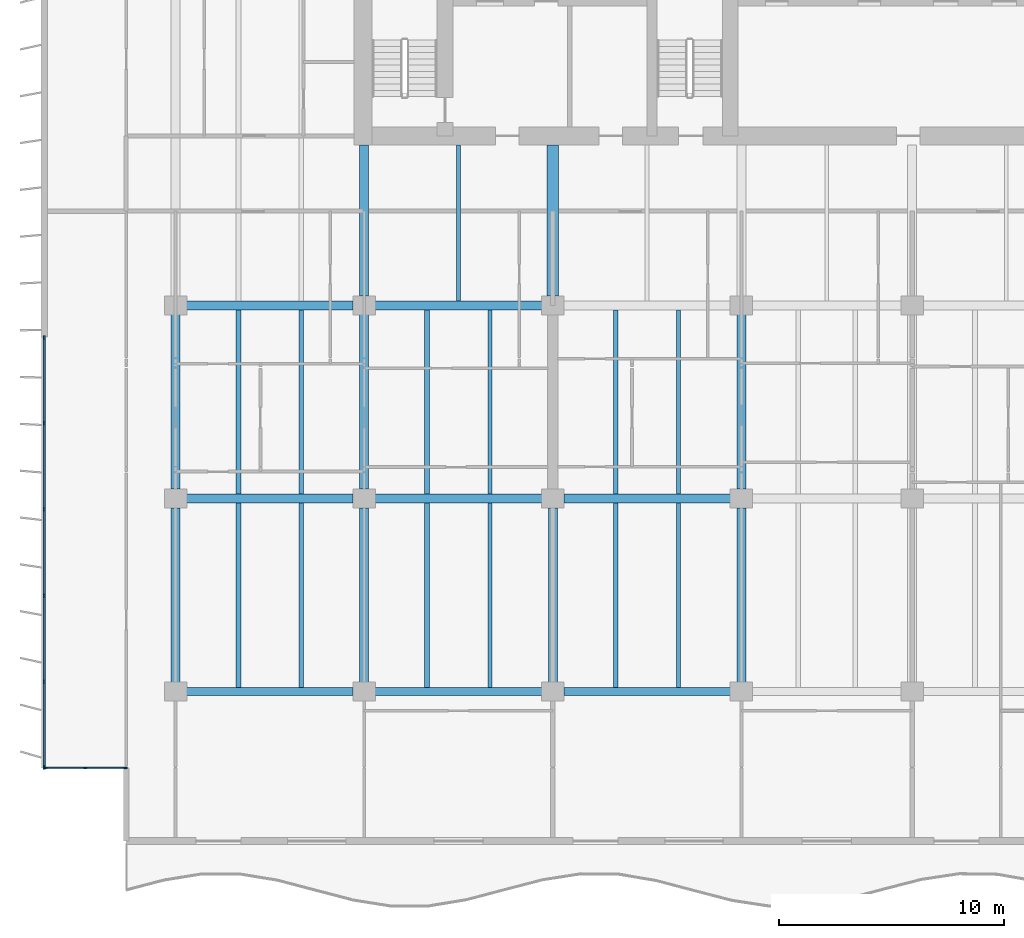
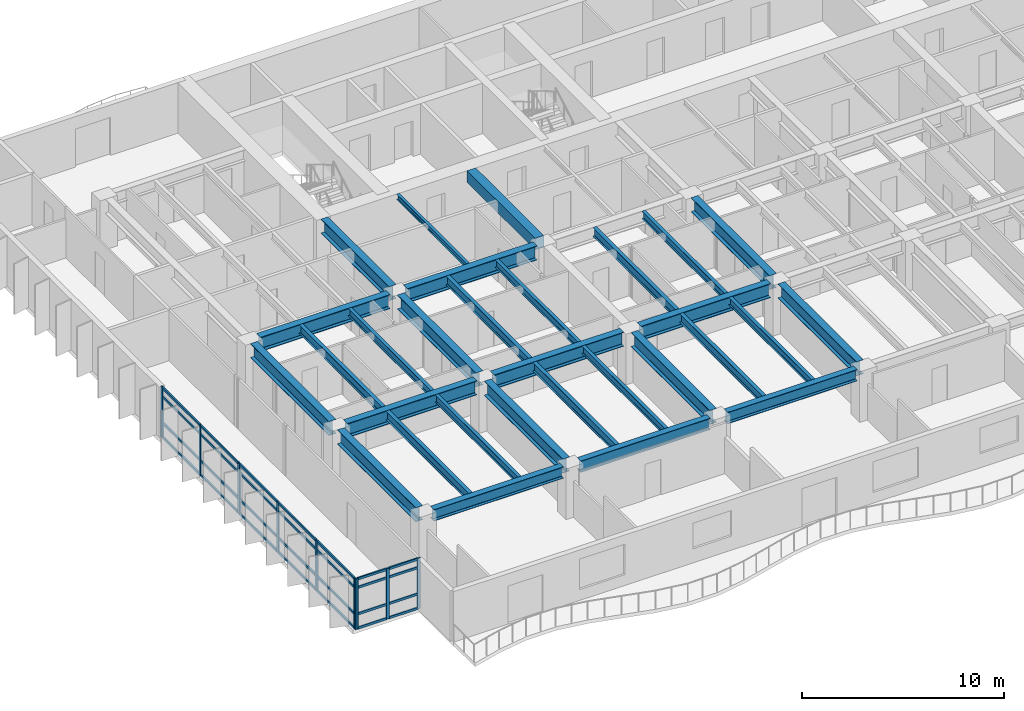
# One storey, part 2 of 20: 37 members, 30 beams, 2 elements without a shape of their own.
"""IFC4 building model written with IfcOpenShell, lengths in metres."""

import ifcopenshell
import ifcopenshell.guid

model = None  # the IFC model being written
_history = None  # IfcOwnerHistory: only IFC2X3 demands one
_inside = {}  # id of a spatial element -> (the spatial element, [elements in it])
_under = {}  # id of a project, library or spatial element -> (it, [spatial elements below it])
_declared = {}  # id of a project -> (the project, [libraries it declares])
_typed = {}  # id of a type object -> (the type object, [elements of that type])
_made_of = {}  # id of a material, layer set ... -> (it, [elements and type objects made of it])


def new_model(schema):
    """Start an empty IFC model of exactly this schema.

    Asked for "IFC4X3", IfcOpenShell would pick the latest addendum, in which some entities
    have other attributes; the version numbers below select the first issue.
    IFC2X3 requires an IfcOwnerHistory on every rooted entity: one is made here for all.
    """
    global model, _history
    if schema == "IFC4X3":
        model = ifcopenshell.file(schema_version=(4, 3, 0, 0))
    else:
        model = ifcopenshell.file(schema=schema)
    _inside.clear()
    _under.clear()
    _declared.clear()
    _typed.clear()
    _made_of.clear()
    _history = None
    if model.schema == "IFC2X3":
        org = make("IfcOrganization", Name="unknown")
        user = make(
            "IfcPersonAndOrganization",
            ThePerson=make("IfcPerson", FamilyName="unknown"),
            TheOrganization=org,
        )
        app = make(
            "IfcApplication",
            ApplicationDeveloper=org,
            Version="unknown",
            ApplicationFullName="unknown",
            ApplicationIdentifier="unknown",
        )
        _history = make(
            "IfcOwnerHistory",
            OwningUser=user,
            OwningApplication=app,
            ChangeAction="ADDED",
            CreationDate=0,
        )
    return model


def make(cls, **values):
    """One entity of the class cls with the attributes given. An attribute that is None is left unset."""
    return model.create_entity(
        cls, **{name: value for name, value in values.items() if value is not None}
    )


def rooted(cls, **values):
    """An entity with a GlobalId (a new one), such as an element, a storey or a relation."""
    return make(cls, GlobalId=ifcopenshell.guid.new(), OwnerHistory=_history, **values)


def si_unit(unit_type, name, prefix=None):
    """IfcSIUnit, for example si_unit("LENGTHUNIT", "METRE", prefix="MILLI")."""
    return make("IfcSIUnit", UnitType=unit_type, Prefix=prefix, Name=name)


def assignment(units):
    """IfcUnitAssignment: the units of a project."""
    return None if units is None else make("IfcUnitAssignment", Units=units)


def point(xyz):
    """IfcCartesianPoint."""
    return None if xyz is None else make("IfcCartesianPoint", Coordinates=xyz)


def direction(xyz):
    """IfcDirection."""
    return None if xyz is None else make("IfcDirection", DirectionRatios=xyz)


def frame(location, z_axis=None, x_axis=None):
    """IfcAxis2Placement3D, a coordinate frame: its origin and axes. An axis left out is left unset."""
    return make(
        "IfcAxis2Placement3D",
        Location=point(location),
        Axis=direction(z_axis),
        RefDirection=direction(x_axis),
    )


def frame_2d(location, x_axis=None):
    """IfcAxis2Placement2D, a coordinate frame in the plane: its origin and x axis."""
    return make(
        "IfcAxis2Placement2D", Location=point(location), RefDirection=direction(x_axis)
    )


def origin():
    """The frame at (0, 0, 0) with its axes left unset."""
    return frame((0.0, 0.0, 0.0))


def origin_2d():
    """The frame at (0, 0) in the plane with its x axis left unset."""
    return frame_2d((0.0, 0.0))


def place(relative_to, where):
    """IfcLocalPlacement: puts the frame where relative to a parent placement (None: the world)."""
    return make(
        "IfcLocalPlacement", PlacementRelTo=relative_to, RelativePlacement=where
    )


def context(
    kind, dimensions, precision=None, world=None, true_north=None, identifier=None
):
    """IfcGeometricRepresentationContext, for example the 3D "Model" context."""
    return make(
        "IfcGeometricRepresentationContext",
        ContextIdentifier=identifier,
        ContextType=kind,
        CoordinateSpaceDimension=dimensions,
        Precision=precision,
        WorldCoordinateSystem=world,
        TrueNorth=true_north,
    )


def subcontext(parent, identifier, kind, view, scale=None):
    """IfcGeometricRepresentationSubContext, for example "Body" below "Model"."""
    return make(
        "IfcGeometricRepresentationSubContext",
        ContextIdentifier=identifier,
        ContextType=kind,
        ParentContext=parent,
        TargetScale=scale,
        TargetView=view,
    )


def project(units=None, contexts=None):
    """IfcProject with its units and contexts."""
    return rooted(
        "IfcProject",
        Name="project",
        RepresentationContexts=contexts,
        UnitsInContext=assignment(units),
    )


def spatial(cls, under=None, at=None, **own):
    """A site, building, storey or space (cls), placed at a placement, below another one or the project."""
    s = rooted(cls, ObjectPlacement=at, **own)
    if under is not None:
        _under.setdefault(under.id(), (under, []))[1].append(s)
    return s


def profile(cls, at=None, kind="AREA", **sizes):
    """A parametric profile (cls). Its sizes go by their IFC names, for example OverallWidth=200.0."""
    return make(cls, ProfileType=kind, Position=at, **sizes)


def rectangle(**sizes):
    """IfcRectangleProfileDef."""
    return profile("IfcRectangleProfileDef", **sizes)


def i_section(**sizes):
    """IfcIShapeProfileDef."""
    return profile("IfcIShapeProfileDef", **sizes)


def extrude(swept, where, along, depth):
    """IfcExtrudedAreaSolid: the profile swept, set in the frame where, extruded along a direction by depth."""
    return make(
        "IfcExtrudedAreaSolid",
        SweptArea=swept,
        Position=where,
        ExtrudedDirection=direction(along),
        Depth=depth,
    )


def shape(context_of_items, identifier, shape_type, items):
    """IfcShapeRepresentation: the items that make up one representation, for example the "Body"."""
    return make(
        "IfcShapeRepresentation",
        ContextOfItems=context_of_items,
        RepresentationIdentifier=identifier,
        RepresentationType=shape_type,
        Items=items,
    )


def material(Name=None, Category=None):
    """IfcMaterial."""
    return make("IfcMaterial", Name=Name, Category=Category)


def layer(
    of_material, thickness, ventilated=None, Name=None, Category=None, Priority=None
):
    """IfcMaterialLayer: one layer of a wall or slab, of a material (None: an air gap)."""
    return make(
        "IfcMaterialLayer",
        Material=of_material,
        LayerThickness=thickness,
        IsVentilated=ventilated,
        Name=Name,
        Category=Category,
        Priority=Priority,
    )


def layer_set(layers, Name=None):
    """IfcMaterialLayerSet."""
    return make("IfcMaterialLayerSet", MaterialLayers=layers, LayerSetName=Name)


def material_profile(
    of_material, cross_section, Name=None, Category=None, Priority=None
):
    """IfcMaterialProfile: a cross section and its material."""
    return make(
        "IfcMaterialProfile",
        Name=Name,
        Material=of_material,
        Profile=cross_section,
        Priority=Priority,
        Category=Category,
    )


def profile_set(profiles, Name=None, composite=None):
    """IfcMaterialProfileSet."""
    return make(
        "IfcMaterialProfileSet",
        Name=Name,
        MaterialProfiles=profiles,
        CompositeProfile=composite,
    )


def made_of(thing, what):
    """Note that an element or type object is made of a material, layer set ...; save() writes the relation."""
    if what is not None:
        _made_of.setdefault(what.id(), (what, []))[1].append(thing)
    return thing


def type_object(cls, material=None, **own):
    """A type object (cls), such as IfcWallType, which elements share."""
    return made_of(rooted(cls, **own), material)


def element(
    cls,
    number,
    at=None,
    inside=None,
    cuts=None,
    type_object=None,
    material=None,
    context=None,
    identifier="Body",
    shape_type=None,
    held_by="IfcProductDefinitionShape",
    body=None,
    shapes=None,
    **own,
):
    """One element of the class cls, such as IfcWall. Its Tag is "e" and its number.

    at: its placement. inside: the storey or other place that contains it. cuts: it is an
    opening in that element (IfcRelVoidsElement). A single representation is given by context,
    identifier, shape_type and body (its items); several are given by shapes. held_by: the class
    of the entity that holds the representations. save() writes the other relations.
    """
    e = rooted(cls, Tag="e%d" % number, ObjectPlacement=at, **own)
    if body is not None:
        shapes = [shape(context, identifier, shape_type, body)]
    if shapes is not None:
        e.Representation = make(held_by, Representations=shapes)
    if inside is not None:
        _inside.setdefault(inside.id(), (inside, []))[1].append(e)
    if cuts is not None:
        rooted(
            "IfcRelVoidsElement", RelatingBuildingElement=cuts, RelatedOpeningElement=e
        )
    if type_object is not None:
        _typed.setdefault(type_object.id(), (type_object, []))[1].append(e)
    return made_of(e, material)


def aggregate(whole, parts):
    """IfcRelAggregates: a whole, such as a stair, and the parts it consists of."""
    return rooted("IfcRelAggregates", RelatingObject=whole, RelatedObjects=parts)


def save(model, path):
    """Write the relations noted so far, then the file.

    IfcRelAggregates (storeys below a building ...), IfcRelContainedInSpatialStructure (elements
    in a storey), IfcRelDefinesByType, IfcRelAssociatesMaterial and IfcRelDeclares: one each for
    every whole, place, type object, material and project.
    """
    for whole, parts in _under.values():
        aggregate(whole, parts)
    for where, things in _inside.values():
        rooted(
            "IfcRelContainedInSpatialStructure",
            RelatedElements=things,
            RelatingStructure=where,
        )
    for kind, things in _typed.values():
        rooted("IfcRelDefinesByType", RelatedObjects=things, RelatingType=kind)
    for what, things in _made_of.values():
        rooted("IfcRelAssociatesMaterial", RelatedObjects=things, RelatingMaterial=what)
    for by, libraries in _declared.values():
        rooted("IfcRelDeclares", RelatingContext=by, RelatedDefinitions=libraries)
    model.write(path)


model = new_model("IFC4")

# Units and contexts
model_context = context("Model", 3, precision=1e-05, world=origin(), true_north=direction((0.0, 1.0)))
body_context = subcontext(model_context, "Body", "Model", "MODEL_VIEW")
ifc_project = project(units=[si_unit("LENGTHUNIT", "METRE"), si_unit("AREAUNIT", "SQUARE_METRE"), si_unit("VOLUMEUNIT", "CUBIC_METRE"), si_unit("PLANEANGLEUNIT", "RADIAN"), si_unit("MASSUNIT", "GRAM", prefix="KILO")], contexts=[model_context])

# Site, building, storey
site_placement = place(None, origin())
site = spatial("IfcSite", under=ifc_project, at=site_placement, CompositionType="ELEMENT")
building_placement = place(site_placement, origin())
building = spatial("IfcBuilding", under=site, at=building_placement, Name="Caelmar Bay Residences", CompositionType="ELEMENT")
storey_placement = place(building_placement, frame((0.0, 0.0, 119.10009765625)))
storey = spatial("IfcBuildingStorey", under=building, at=storey_placement, Name="L32", CompositionType="ELEMENT", Elevation=119.10009765625)

# Beams
ifc_material_1 = material(Name="Steel ASTM A992 Grade 50", Category="steel")
ifc_material_profile_1 = material_profile(ifc_material_1, i_section(OverallWidth=0.40087890625, OverallDepth=0.861083984375, WebThickness=0.019775390625, FlangeThickness=0.032470703125, FilletRadius=0.017822265625, at=origin_2d()), Name="W33X221")
ifc_profile_set_1 = profile_set([ifc_material_profile_1], Name="Steel ASTM A992 Grade 50")
beam_type_1 = type_object("IfcBeamType", Name="BM-GRD-W33X221", PredefinedType="BEAM", material=ifc_profile_set_1)
beam_1_placement = place(storey_placement, frame((10.389892578125, 20.800048828125, 2.619384765625), z_axis=(1.0, 0.0, 0.0), x_axis=(0.0, 1.0, 0.0)))
element("IfcBeam", 1, at=beam_1_placement, inside=storey, type_object=beam_type_1, Name="L32 East-West Girder Y=20.80 (9.9-18.3)", PredefinedType="BEAM", context=body_context, shape_type="SweptSolid", body=[
    extrude(i_section(OverallWidth=0.40087890625, OverallDepth=0.861083984375, WebThickness=0.019775390625, FlangeThickness=0.032470703125, FilletRadius=0.017822265625, at=origin_2d()), origin(), (0.0, 0.0, 1.0), 7.420166015625),
])
beam_2_placement = place(storey_placement, frame((18.7900390625, 20.800048828125, 2.619384765625), z_axis=(1.0, 0.0, 0.0), x_axis=(0.0, 1.0, 0.0)))
element("IfcBeam", 2, at=beam_2_placement, inside=storey, type_object=beam_type_1, Name="L32 East-West Girder Y=20.80 (18.3-26.7)", PredefinedType="BEAM", context=body_context, shape_type="SweptSolid", body=[
    extrude(i_section(OverallWidth=0.40087890625, OverallDepth=0.861083984375, WebThickness=0.019775390625, FlangeThickness=0.032470703125, FilletRadius=0.017822265625, at=origin_2d()), origin(), (0.0, 0.0, 1.0), 7.419921875),
])
for number, where, z_axis, x_axis, name in (
    (3, (27.18994140625, 20.800048828125, 2.619384765625), (1.0, 0.0, 0.0), (0.0, 1.0, 0.0), "L32 East-West Girder Y=20.80 (26.7-35.1)"),
    (4, (10.389892578125, 29.39990234375, 2.619384765625), (1.0, 0.0, 0.0), (0.0, 1.0, 0.0), "L32 East-West Girder Y=29.40 (9.9-18.3)"),
):
    element("IfcBeam", number, at=place(storey_placement, frame(where, z_axis=z_axis, x_axis=x_axis)), inside=storey, type_object=beam_type_1, Name=name, PredefinedType="BEAM", context=body_context, shape_type="SweptSolid", body=[
        extrude(i_section(OverallWidth=0.40087890625, OverallDepth=0.861083984375, WebThickness=0.019775390625, FlangeThickness=0.032470703125, FilletRadius=0.017822265625, at=origin_2d()), origin(), (0.0, 0.0, 1.0), 7.420166015625),
    ])
beam_3_placement = place(storey_placement, frame((18.7900390625, 29.39990234375, 2.619384765625), z_axis=(1.0, 0.0, 0.0), x_axis=(0.0, 1.0, 0.0)))
element("IfcBeam", 5, at=beam_3_placement, inside=storey, type_object=beam_type_1, Name="L32 East-West Girder Y=29.40 (18.3-26.7)", PredefinedType="BEAM", context=body_context, shape_type="SweptSolid", body=[
    extrude(i_section(OverallWidth=0.40087890625, OverallDepth=0.861083984375, WebThickness=0.019775390625, FlangeThickness=0.032470703125, FilletRadius=0.017822265625, at=origin_2d()), origin(), (0.0, 0.0, 1.0), 7.419921875),
])
for number, where, z_axis, x_axis, name in (
    (6, (9.89990234375, 12.614990234375, 2.619384765625), (0.0, 1.0, 0.0), (-1.0, 0.0, 0.0), "L32 North-South Girder X=9.90 (12.2-20.8)"),
    (7, (9.89990234375, 21.215087890625, 2.619384765625), (0.0, 1.0, 0.0), (-1.0, 0.0, 0.0), "L32 North-South Girder X=9.90 (20.8-29.4)"),
):
    element("IfcBeam", number, at=place(storey_placement, frame(where, z_axis=z_axis, x_axis=x_axis)), inside=storey, type_object=beam_type_1, Name=name, PredefinedType="BEAM", context=body_context, shape_type="SweptSolid", body=[
        extrude(i_section(OverallWidth=0.40087890625, OverallDepth=0.861083984375, WebThickness=0.019775390625, FlangeThickness=0.032470703125, FilletRadius=0.017822265625, at=origin_2d()), origin(), (0.0, 0.0, 1.0), 7.77001953125),
    ])
beam_4_placement = place(storey_placement, frame((18.300048828125, 29.81494140625, 2.619384765625), z_axis=(0.0, 1.0, 0.0), x_axis=(-1.0, 0.0, 0.0)))
element("IfcBeam", 8, at=beam_4_placement, inside=storey, type_object=beam_type_1, Name="L32 Core Tie Girder X=18.30", PredefinedType="BEAM", context=body_context, shape_type="SweptSolid", body=[
    extrude(i_section(OverallWidth=0.40087890625, OverallDepth=0.861083984375, WebThickness=0.019775390625, FlangeThickness=0.032470703125, FilletRadius=0.017822265625, at=origin_2d()), origin(), (0.0, 0.0, 1.0), 6.735107421875),
])
for number, where, z_axis, x_axis, name in (
    (9, (18.300048828125, 12.614990234375, 2.619384765625), (0.0, 1.0, 0.0), (-1.0, 0.0, 0.0), "L32 North-South Girder X=18.30 (12.2-20.8)"),
    (10, (18.300048828125, 21.215087890625, 2.619384765625), (0.0, 1.0, 0.0), (-1.0, 0.0, 0.0), "L32 North-South Girder X=18.30 (20.8-29.4)"),
    (11, (26.699951171875, 12.614990234375, 2.619384765625), (0.0, 1.0, 0.0), (-1.0, 0.0, 0.0), "L32 North-South Girder X=26.70 (12.2-20.8)"),
    (12, (35.10009765625, 12.614990234375, 2.619384765625), (0.0, 1.0, 0.0), (-1.0, 0.0, 0.0), "L32 North-South Girder X=35.10 (12.2-20.8)"),
    (13, (35.10009765625, 21.215087890625, 2.619384765625), (0.0, 1.0, 0.0), (-1.0, 0.0, 0.0), "L32 North-South Girder X=35.10 (20.8-29.4)"),
):
    element("IfcBeam", number, at=place(storey_placement, frame(where, z_axis=z_axis, x_axis=x_axis)), inside=storey, type_object=beam_type_1, Name=name, PredefinedType="BEAM", context=body_context, shape_type="SweptSolid", body=[
        extrude(i_section(OverallWidth=0.40087890625, OverallDepth=0.861083984375, WebThickness=0.019775390625, FlangeThickness=0.032470703125, FilletRadius=0.017822265625, at=origin_2d()), origin(), (0.0, 0.0, 1.0), 7.77001953125),
    ])
ifc_material_profile_2 = material_profile(ifc_material_1, i_section(OverallWidth=0.1650390625, OverallDepth=0.31005859375, WebThickness=0.005859375, FlangeThickness=0.009765625, FilletRadius=0.007568359375, at=origin_2d()), Name="W12X26")
ifc_profile_set_2 = profile_set([ifc_material_profile_2], Name="Steel ASTM A992 Grade 50")
beam_type_2 = type_object("IfcBeamType", Name="BM-JST-W12X26", PredefinedType="JOIST", material=ifc_profile_set_2)
beam_5_placement = place(storey_placement, frame((22.5, 29.6005859375, 2.89501953125), z_axis=(0.0, 1.0, 0.0), x_axis=(-1.0, 0.0, 0.0)))
element("IfcBeam", 14, at=beam_5_placement, inside=storey, type_object=beam_type_2, Name="L32 Core-Band Composite Joist 29", PredefinedType="JOIST", context=body_context, shape_type="SweptSolid", body=[
    extrude(i_section(OverallWidth=0.1650390625, OverallDepth=0.31005859375, WebThickness=0.005859375, FlangeThickness=0.009765625, FilletRadius=0.007568359375, at=origin_2d()), origin(), (0.0, 0.0, 1.0), 6.949462890625),
])
ifc_material_profile_3 = material_profile(ifc_material_1, i_section(OverallWidth=0.19091796875, OverallDepth=0.45703125, WebThickness=0.009033203125, FlangeThickness=0.014404296875, FilletRadius=0.01025390625, at=origin_2d()), Name="W18X50")
ifc_profile_set_3 = profile_set([ifc_material_profile_3], Name="Steel ASTM A992 Grade 50")
beam_type_3 = type_object("IfcBeamType", Name="BM-JST-W18X50", PredefinedType="JOIST", material=ifc_profile_set_3)
for number, where, z_axis, x_axis, name in (
    (15, (15.5, 12.3779296875, 2.8212890625), (0.0, 1.0, 0.0), (-1.0, 0.0, 0.0), "L32 Composite Floor Joist 2"),
    (16, (23.89990234375, 12.3779296875, 2.8212890625), (0.0, 1.0, 0.0), (-1.0, 0.0, 0.0), "L32 Composite Floor Joist 4"),
    (17, (32.300048828125, 12.3779296875, 2.8212890625), (0.0, 1.0, 0.0), (-1.0, 0.0, 0.0), "L32 Composite Floor Joist 6"),
):
    element("IfcBeam", number, at=place(storey_placement, frame(where, z_axis=z_axis, x_axis=x_axis)), inside=storey, type_object=beam_type_3, Name=name, PredefinedType="JOIST", context=body_context, shape_type="SweptSolid", body=[
        extrude(i_section(OverallWidth=0.19091796875, OverallDepth=0.45703125, WebThickness=0.009033203125, FlangeThickness=0.014404296875, FilletRadius=0.01025390625, at=origin_2d()), origin(), (0.0, 0.0, 1.0), 8.2216796875),
    ])
for number, where, z_axis, x_axis, name in (
    (18, (15.5, 21.00048828125, 2.8212890625), (0.0, 1.0, 0.0), (-1.0, 0.0, 0.0), "L32 Composite Floor Joist 16"),
    (19, (23.89990234375, 21.00048828125, 2.8212890625), (0.0, 1.0, 0.0), (-1.0, 0.0, 0.0), "L32 Composite Floor Joist 18"),
    (20, (32.300048828125, 21.00048828125, 2.8212890625), (0.0, 1.0, 0.0), (-1.0, 0.0, 0.0), "L32 Composite Floor Joist 20"),
):
    element("IfcBeam", number, at=place(storey_placement, frame(where, z_axis=z_axis, x_axis=x_axis)), inside=storey, type_object=beam_type_3, Name=name, PredefinedType="JOIST", context=body_context, shape_type="SweptSolid", body=[
        extrude(i_section(OverallWidth=0.19091796875, OverallDepth=0.45703125, WebThickness=0.009033203125, FlangeThickness=0.014404296875, FilletRadius=0.01025390625, at=origin_2d()), origin(), (0.0, 0.0, 1.0), 8.198974609375),
    ])
ifc_material_profile_4 = material_profile(ifc_material_1, i_section(OverallWidth=0.2099609375, OverallDepth=0.535888671875, WebThickness=0.010986328125, FlangeThickness=0.017333984375, FilletRadius=0.0126953125, at=origin_2d()), Name="W21X68")
ifc_profile_set_4 = profile_set([ifc_material_profile_4], Name="Steel ASTM A992 Grade 50")
beam_type_4 = type_object("IfcBeamType", Name="BM-JST-W21X68", PredefinedType="JOIST", material=ifc_profile_set_4)
for number, where, z_axis, x_axis, name in (
    (21, (12.699951171875, 12.3779296875, 2.781982421875), (0.0, 1.0, 0.0), (-1.0, 0.0, 0.0), "L32 Composite Floor Joist 1"),
    (22, (21.10009765625, 12.3779296875, 2.781982421875), (0.0, 1.0, 0.0), (-1.0, 0.0, 0.0), "L32 Composite Floor Joist 3"),
    (23, (29.5, 12.3779296875, 2.781982421875), (0.0, 1.0, 0.0), (-1.0, 0.0, 0.0), "L32 Composite Floor Joist 5"),
):
    element("IfcBeam", number, at=place(storey_placement, frame(where, z_axis=z_axis, x_axis=x_axis)), inside=storey, type_object=beam_type_4, Name=name, PredefinedType="JOIST", context=body_context, shape_type="SweptSolid", body=[
        extrude(i_section(OverallWidth=0.2099609375, OverallDepth=0.535888671875, WebThickness=0.010986328125, FlangeThickness=0.017333984375, FilletRadius=0.0126953125, at=origin_2d()), origin(), (0.0, 0.0, 1.0), 8.2216796875),
    ])
for number, where, z_axis, x_axis, name in (
    (24, (12.699951171875, 21.00048828125, 2.781982421875), (0.0, 1.0, 0.0), (-1.0, 0.0, 0.0), "L32 Composite Floor Joist 15"),
    (25, (21.10009765625, 21.00048828125, 2.781982421875), (0.0, 1.0, 0.0), (-1.0, 0.0, 0.0), "L32 Composite Floor Joist 17"),
    (26, (29.5, 21.00048828125, 2.781982421875), (0.0, 1.0, 0.0), (-1.0, 0.0, 0.0), "L32 Composite Floor Joist 19"),
):
    element("IfcBeam", number, at=place(storey_placement, frame(where, z_axis=z_axis, x_axis=x_axis)), inside=storey, type_object=beam_type_4, Name=name, PredefinedType="JOIST", context=body_context, shape_type="SweptSolid", body=[
        extrude(i_section(OverallWidth=0.2099609375, OverallDepth=0.535888671875, WebThickness=0.010986328125, FlangeThickness=0.017333984375, FilletRadius=0.0126953125, at=origin_2d()), origin(), (0.0, 0.0, 1.0), 8.198974609375),
    ])
ifc_material_2 = material(Name="Concrete f'c 55 MPa (8,000 psi)", Category="concrete")
ifc_material_profile_5 = material_profile(ifc_material_2, rectangle(XDim=0.5, YDim=0.699951171875, at=origin_2d()), Name="RC-BM-500X700")
ifc_profile_set_5 = profile_set([ifc_material_profile_5], Name="Concrete f'c 55 MPa (8,000 psi)")
beam_type_5 = type_object("IfcBeamType", Name="BM-RC-500X700", PredefinedType="LINTEL", material=ifc_profile_set_5)
beam_6_placement = place(storey_placement, frame((26.699951171875, 29.81494140625, 2.699951171875), z_axis=(0.0, 1.0, 0.0), x_axis=(-1.0, 0.0, 0.0)))
element("IfcBeam", 27, at=beam_6_placement, inside=storey, type_object=beam_type_5, Name="L32 Shear-Wall Corridor Coupling Lintel W5", PredefinedType="LINTEL", context=body_context, shape_type="SweptSolid", body=[
    extrude(rectangle(XDim=0.5, YDim=0.699951171875, at=origin_2d()), origin(), (0.0, 0.0, 1.0), 6.735107421875),
])
ifc_material_profile_6 = material_profile(ifc_material_1, i_section(OverallWidth=0.35595703125, OverallDepth=0.696044921875, WebThickness=0.015380859375, FlangeThickness=0.02490234375, FilletRadius=0.01513671875, at=origin_2d()), Name="W27X146")
ifc_profile_set_6 = profile_set([ifc_material_profile_6], Name="Steel ASTM A992 Grade 50")
beam_type_6 = type_object("IfcBeamType", Name="BM-SPN-W27X146", PredefinedType="SPANDREL", material=ifc_profile_set_6)
beam_7_placement = place(storey_placement, frame((10.389892578125, 12.199951171875, 2.701904296875), z_axis=(1.0, 0.0, 0.0), x_axis=(0.0, 1.0, 0.0)))
element("IfcBeam", 28, at=beam_7_placement, inside=storey, type_object=beam_type_6, Name="L32 East-West Girder Y=12.20 (9.9-18.3)", PredefinedType="SPANDREL", context=body_context, shape_type="SweptSolid", body=[
    extrude(i_section(OverallWidth=0.35595703125, OverallDepth=0.696044921875, WebThickness=0.015380859375, FlangeThickness=0.02490234375, FilletRadius=0.01513671875, at=origin_2d()), origin(), (0.0, 0.0, 1.0), 7.420166015625),
])
beam_8_placement = place(storey_placement, frame((18.7900390625, 12.199951171875, 2.701904296875), z_axis=(1.0, 0.0, 0.0), x_axis=(0.0, 1.0, 0.0)))
element("IfcBeam", 29, at=beam_8_placement, inside=storey, type_object=beam_type_6, Name="L32 East-West Girder Y=12.20 (18.3-26.7)", PredefinedType="SPANDREL", context=body_context, shape_type="SweptSolid", body=[
    extrude(i_section(OverallWidth=0.35595703125, OverallDepth=0.696044921875, WebThickness=0.015380859375, FlangeThickness=0.02490234375, FilletRadius=0.01513671875, at=origin_2d()), origin(), (0.0, 0.0, 1.0), 7.419921875),
])
beam_9_placement = place(storey_placement, frame((27.18994140625, 12.199951171875, 2.701904296875), z_axis=(1.0, 0.0, 0.0), x_axis=(0.0, 1.0, 0.0)))
element("IfcBeam", 30, at=beam_9_placement, inside=storey, type_object=beam_type_6, Name="L32 East-West Girder Y=12.20 (26.7-35.1)", PredefinedType="SPANDREL", context=body_context, shape_type="SweptSolid", body=[
    extrude(i_section(OverallWidth=0.35595703125, OverallDepth=0.696044921875, WebThickness=0.015380859375, FlangeThickness=0.02490234375, FilletRadius=0.01513671875, at=origin_2d()), origin(), (0.0, 0.0, 1.0), 7.420166015625),
])

# Curtain wall, members
ifc_material_3 = material(Name="Anodised bronze aluminium 6063-T6 and laminated glass", Category="aluminium")
ifc_layer_1 = layer(ifc_material_3, 0.179931640625)
ifc_layer_set_1 = layer_set([ifc_layer_1], Name="Anodised bronze aluminium 6063-T6 and laminated glass")
curtain_wall_type_1 = type_object("IfcCurtainWallType", Name="CW6-NTC", PredefinedType="NOTDEFINED", material=ifc_layer_set_1)
curtain_wall_1_placement = place(storey_placement, origin())
curtain_wall_1 = element("IfcCurtainWall", 31, at=curtain_wall_1_placement, inside=storey, type_object=curtain_wall_type_1, Name="CW6 curtain wall L32", PredefinedType="NOTDEFINED")
ifc_material_4 = material(Name="Anodised bronze aluminium 6063-T6", Category="aluminium")
ifc_material_profile_7 = material_profile(ifc_material_4, rectangle(XDim=0.080078125, YDim=0.179931640625, at=origin_2d()), Name="CWM-80X180")
ifc_profile_set_7 = profile_set([ifc_material_profile_7], Name="Anodised bronze aluminium 6063-T6")
member_type_1 = type_object("IfcMemberType", Name="CWM-180", PredefinedType="MULLION", material=ifc_profile_set_7)
member_1_placement = place(storey_placement, frame((4.090087890625, 8.800048828125, 0.0), z_axis=(0.0, 0.0, 1.0), x_axis=(0.0, 1.0, 0.0)))
member_1 = element("IfcMember", 32, at=member_1_placement, type_object=member_type_1, Name="CW6 mullion 1", PredefinedType="MULLION", context=body_context, shape_type="SweptSolid", body=[
    extrude(rectangle(XDim=0.080078125, YDim=0.179931640625, at=origin_2d()), origin(), (0.0, 0.0, 1.0), 3.0498046875),
])
member_2_placement = place(storey_placement, frame((5.875, 8.800048828125, 0.0), z_axis=(0.0, 0.0, 1.0), x_axis=(0.0, 1.0, 0.0)))
member_2 = element("IfcMember", 33, at=member_2_placement, type_object=member_type_1, Name="CW6 mullion 2", PredefinedType="MULLION", context=body_context, shape_type="SweptSolid", body=[
    extrude(rectangle(XDim=0.080078125, YDim=0.179931640625, at=origin_2d()), origin(), (0.0, 0.0, 1.0), 3.0498046875),
])
member_3_placement = place(storey_placement, frame((7.659912109375, 8.800048828125, 0.0), z_axis=(0.0, 0.0, 1.0), x_axis=(0.0, 1.0, 0.0)))
member_3 = element("IfcMember", 34, at=member_3_placement, type_object=member_type_1, Name="CW6 mullion 3", PredefinedType="MULLION", context=body_context, shape_type="SweptSolid", body=[
    extrude(rectangle(XDim=0.080078125, YDim=0.179931640625, at=origin_2d()), origin(), (0.0, 0.0, 1.0), 3.0498046875),
])

ifc_layer_2 = layer(ifc_material_3, 0.179931640625)
ifc_layer_set_2 = layer_set([ifc_layer_2], Name="Anodised bronze aluminium 6063-T6 and laminated glass")
curtain_wall_type_2 = type_object("IfcCurtainWallType", Name="CW3-Z2", PredefinedType="NOTDEFINED", material=ifc_layer_set_2)
curtain_wall_2_placement = place(storey_placement, origin())
curtain_wall_2 = element("IfcCurtainWall", 35, at=curtain_wall_2_placement, inside=storey, type_object=curtain_wall_type_2, Name="CW3 curtain wall L32", PredefinedType="NOTDEFINED")
member_4_placement = place(storey_placement, frame((4.050048828125, 8.840087890625, 0.0), z_axis=(0.0, 0.0, 1.0), x_axis=(-1.0, 0.0, 0.0)))
member_4 = element("IfcMember", 36, at=member_4_placement, type_object=member_type_1, Name="CW3 mullion 1", PredefinedType="MULLION", context=body_context, shape_type="SweptSolid", body=[
    extrude(rectangle(XDim=0.080078125, YDim=0.179931640625, at=origin_2d()), origin(), (0.0, 0.0, 1.0), 3.0498046875),
])
member_5_placement = place(storey_placement, frame((4.050048828125, 12.639892578125, 0.0), z_axis=(0.0, 0.0, 1.0), x_axis=(-1.0, 0.0, 0.0)))
member_5 = element("IfcMember", 37, at=member_5_placement, type_object=member_type_1, Name="CW3 mullion 2", PredefinedType="MULLION", context=body_context, shape_type="SweptSolid", body=[
    extrude(rectangle(XDim=0.080078125, YDim=0.179931640625, at=origin_2d()), origin(), (0.0, 0.0, 1.0), 3.0498046875),
])
member_6_placement = place(storey_placement, frame((4.050048828125, 16.47998046875, 0.0), z_axis=(0.0, 0.0, 1.0), x_axis=(-1.0, 0.0, 0.0)))
member_6 = element("IfcMember", 38, at=member_6_placement, type_object=member_type_1, Name="CW3 mullion 3", PredefinedType="MULLION", context=body_context, shape_type="SweptSolid", body=[
    extrude(rectangle(XDim=0.080078125, YDim=0.179931640625, at=origin_2d()), origin(), (0.0, 0.0, 1.0), 3.0498046875),
])
member_7_placement = place(storey_placement, frame((4.050048828125, 20.320068359375, 0.0), z_axis=(0.0, 0.0, 1.0), x_axis=(-1.0, 0.0, 0.0)))
member_7 = element("IfcMember", 39, at=member_7_placement, type_object=member_type_1, Name="CW3 mullion 4", PredefinedType="MULLION", context=body_context, shape_type="SweptSolid", body=[
    extrude(rectangle(XDim=0.080078125, YDim=0.179931640625, at=origin_2d()), origin(), (0.0, 0.0, 1.0), 3.0498046875),
])
member_8_placement = place(storey_placement, frame((4.050048828125, 24.159912109375, 0.0), z_axis=(0.0, 0.0, 1.0), x_axis=(-1.0, 0.0, 0.0)))
member_8 = element("IfcMember", 40, at=member_8_placement, type_object=member_type_1, Name="CW3 mullion 5", PredefinedType="MULLION", context=body_context, shape_type="SweptSolid", body=[
    extrude(rectangle(XDim=0.080078125, YDim=0.179931640625, at=origin_2d()), origin(), (0.0, 0.0, 1.0), 3.0498046875),
])
member_9_placement = place(storey_placement, frame((4.050048828125, 27.9599609375, 0.0), z_axis=(0.0, 0.0, 1.0), x_axis=(-1.0, 0.0, 0.0)))
member_9 = element("IfcMember", 41, at=member_9_placement, type_object=member_type_1, Name="CW3 mullion 6", PredefinedType="MULLION", context=body_context, shape_type="SweptSolid", body=[
    extrude(rectangle(XDim=0.080078125, YDim=0.179931640625, at=origin_2d()), origin(), (0.0, 0.0, 1.0), 3.0498046875),
])

# Member
ifc_material_profile_8 = material_profile(ifc_material_4, rectangle(XDim=0.080078125, YDim=0.139892578125, at=origin_2d()), Name="CWT-80X140")
ifc_profile_set_8 = profile_set([ifc_material_profile_8], Name="Anodised bronze aluminium 6063-T6")
member_type_2 = type_object("IfcMemberType", Name="CWT-140", PredefinedType="NOTDEFINED", material=ifc_profile_set_8)
member_10_placement = place(storey_placement, frame((4.1298828125, 8.800048828125, 0.039794921875), z_axis=(1.0, 0.0, 0.0), x_axis=(0.0, 1.0, 0.0)))
member_10 = element("IfcMember", 42, at=member_10_placement, type_object=member_type_2, Name="CW6 transom 1.1", ObjectType="TRANSOM", PredefinedType="USERDEFINED", context=body_context, shape_type="SweptSolid", body=[
    extrude(rectangle(XDim=0.080078125, YDim=0.139892578125, at=origin_2d()), origin(), (0.0, 0.0, 1.0), 1.705078125),
])

member_11_placement = place(storey_placement, frame((4.1298828125, 8.800048828125, 0.89990234375), z_axis=(1.0, 0.0, 0.0), x_axis=(0.0, 1.0, 0.0)))
member_11 = element("IfcMember", 43, at=member_11_placement, type_object=member_type_2, Name="CW6 transom 1.2", ObjectType="TRANSOM", PredefinedType="USERDEFINED", context=body_context, shape_type="SweptSolid", body=[
    extrude(rectangle(XDim=0.080078125, YDim=0.139892578125, at=origin_2d()), origin(), (0.0, 0.0, 1.0), 1.705078125),
])

member_12_placement = place(storey_placement, frame((4.1298828125, 8.800048828125, 2.5), z_axis=(1.0, 0.0, 0.0), x_axis=(0.0, 1.0, 0.0)))
member_12 = element("IfcMember", 44, at=member_12_placement, type_object=member_type_2, Name="CW6 transom 1.3", ObjectType="TRANSOM", PredefinedType="USERDEFINED", context=body_context, shape_type="SweptSolid", body=[
    extrude(rectangle(XDim=0.080078125, YDim=0.139892578125, at=origin_2d()), origin(), (0.0, 0.0, 1.0), 1.705078125),
])

member_13_placement = place(storey_placement, frame((4.1298828125, 8.800048828125, 3.010009765625), z_axis=(1.0, 0.0, 0.0), x_axis=(0.0, 1.0, 0.0)))
member_13 = element("IfcMember", 45, at=member_13_placement, type_object=member_type_2, Name="CW6 transom 1.4", ObjectType="TRANSOM", PredefinedType="USERDEFINED", context=body_context, shape_type="SweptSolid", body=[
    extrude(rectangle(XDim=0.080078125, YDim=0.139892578125, at=origin_2d()), origin(), (0.0, 0.0, 1.0), 1.705078125),
])

member_14_placement = place(storey_placement, frame((5.9150390625, 8.800048828125, 0.039794921875), z_axis=(1.0, 0.0, 0.0), x_axis=(0.0, 1.0, 0.0)))
member_14 = element("IfcMember", 46, at=member_14_placement, type_object=member_type_2, Name="CW6 transom 2.1", ObjectType="TRANSOM", PredefinedType="USERDEFINED", context=body_context, shape_type="SweptSolid", body=[
    extrude(rectangle(XDim=0.080078125, YDim=0.139892578125, at=origin_2d()), origin(), (0.0, 0.0, 1.0), 1.705078125),
])

member_15_placement = place(storey_placement, frame((5.9150390625, 8.800048828125, 0.89990234375), z_axis=(1.0, 0.0, 0.0), x_axis=(0.0, 1.0, 0.0)))
member_15 = element("IfcMember", 47, at=member_15_placement, type_object=member_type_2, Name="CW6 transom 2.2", ObjectType="TRANSOM", PredefinedType="USERDEFINED", context=body_context, shape_type="SweptSolid", body=[
    extrude(rectangle(XDim=0.080078125, YDim=0.139892578125, at=origin_2d()), origin(), (0.0, 0.0, 1.0), 1.705078125),
])

member_16_placement = place(storey_placement, frame((5.9150390625, 8.800048828125, 2.5), z_axis=(1.0, 0.0, 0.0), x_axis=(0.0, 1.0, 0.0)))
member_16 = element("IfcMember", 48, at=member_16_placement, type_object=member_type_2, Name="CW6 transom 2.3", ObjectType="TRANSOM", PredefinedType="USERDEFINED", context=body_context, shape_type="SweptSolid", body=[
    extrude(rectangle(XDim=0.080078125, YDim=0.139892578125, at=origin_2d()), origin(), (0.0, 0.0, 1.0), 1.705078125),
])

member_17_placement = place(storey_placement, frame((5.9150390625, 8.800048828125, 3.010009765625), z_axis=(1.0, 0.0, 0.0), x_axis=(0.0, 1.0, 0.0)))
member_17 = element("IfcMember", 49, at=member_17_placement, type_object=member_type_2, Name="CW6 transom 2.4", ObjectType="TRANSOM", PredefinedType="USERDEFINED", context=body_context, shape_type="SweptSolid", body=[
    extrude(rectangle(XDim=0.080078125, YDim=0.139892578125, at=origin_2d()), origin(), (0.0, 0.0, 1.0), 1.705078125),
])

aggregate(curtain_wall_1, [member_1, member_2, member_3, member_10, member_11, member_12, member_13, member_14, member_15, member_16, member_17])

member_18_placement = place(storey_placement, frame((4.050048828125, 8.8798828125, 0.039794921875), z_axis=(0.0, 1.0, 0.0), x_axis=(-1.0, 0.0, 0.0)))
member_18 = element("IfcMember", 50, at=member_18_placement, type_object=member_type_2, Name="CW3 transom 1.1", ObjectType="TRANSOM", PredefinedType="USERDEFINED", context=body_context, shape_type="SweptSolid", body=[
    extrude(rectangle(XDim=0.080078125, YDim=0.139892578125, at=origin_2d()), origin(), (0.0, 0.0, 1.0), 3.72021484375),
])

member_19_placement = place(storey_placement, frame((4.050048828125, 8.8798828125, 0.89990234375), z_axis=(0.0, 1.0, 0.0), x_axis=(-1.0, 0.0, 0.0)))
member_19 = element("IfcMember", 51, at=member_19_placement, type_object=member_type_2, Name="CW3 transom 1.2", ObjectType="TRANSOM", PredefinedType="USERDEFINED", context=body_context, shape_type="SweptSolid", body=[
    extrude(rectangle(XDim=0.080078125, YDim=0.139892578125, at=origin_2d()), origin(), (0.0, 0.0, 1.0), 3.72021484375),
])

member_20_placement = place(storey_placement, frame((4.050048828125, 8.8798828125, 2.5), z_axis=(0.0, 1.0, 0.0), x_axis=(-1.0, 0.0, 0.0)))
member_20 = element("IfcMember", 52, at=member_20_placement, type_object=member_type_2, Name="CW3 transom 1.3", ObjectType="TRANSOM", PredefinedType="USERDEFINED", context=body_context, shape_type="SweptSolid", body=[
    extrude(rectangle(XDim=0.080078125, YDim=0.139892578125, at=origin_2d()), origin(), (0.0, 0.0, 1.0), 3.72021484375),
])

member_21_placement = place(storey_placement, frame((4.050048828125, 8.8798828125, 3.010009765625), z_axis=(0.0, 1.0, 0.0), x_axis=(-1.0, 0.0, 0.0)))
member_21 = element("IfcMember", 53, at=member_21_placement, type_object=member_type_2, Name="CW3 transom 1.4", ObjectType="TRANSOM", PredefinedType="USERDEFINED", context=body_context, shape_type="SweptSolid", body=[
    extrude(rectangle(XDim=0.080078125, YDim=0.139892578125, at=origin_2d()), origin(), (0.0, 0.0, 1.0), 3.72021484375),
])

member_22_placement = place(storey_placement, frame((4.050048828125, 12.679931640625, 0.039794921875), z_axis=(0.0, 1.0, 0.0), x_axis=(-1.0, 0.0, 0.0)))
member_22 = element("IfcMember", 54, at=member_22_placement, type_object=member_type_2, Name="CW3 transom 2.1", ObjectType="TRANSOM", PredefinedType="USERDEFINED", context=body_context, shape_type="SweptSolid", body=[
    extrude(rectangle(XDim=0.080078125, YDim=0.139892578125, at=origin_2d()), origin(), (0.0, 0.0, 1.0), 3.760009765625),
])

member_23_placement = place(storey_placement, frame((4.050048828125, 12.679931640625, 0.89990234375), z_axis=(0.0, 1.0, 0.0), x_axis=(-1.0, 0.0, 0.0)))
member_23 = element("IfcMember", 55, at=member_23_placement, type_object=member_type_2, Name="CW3 transom 2.2", ObjectType="TRANSOM", PredefinedType="USERDEFINED", context=body_context, shape_type="SweptSolid", body=[
    extrude(rectangle(XDim=0.080078125, YDim=0.139892578125, at=origin_2d()), origin(), (0.0, 0.0, 1.0), 3.760009765625),
])

member_24_placement = place(storey_placement, frame((4.050048828125, 12.679931640625, 2.5), z_axis=(0.0, 1.0, 0.0), x_axis=(-1.0, 0.0, 0.0)))
member_24 = element("IfcMember", 56, at=member_24_placement, type_object=member_type_2, Name="CW3 transom 2.3", ObjectType="TRANSOM", PredefinedType="USERDEFINED", context=body_context, shape_type="SweptSolid", body=[
    extrude(rectangle(XDim=0.080078125, YDim=0.139892578125, at=origin_2d()), origin(), (0.0, 0.0, 1.0), 3.760009765625),
])

member_25_placement = place(storey_placement, frame((4.050048828125, 12.679931640625, 3.010009765625), z_axis=(0.0, 1.0, 0.0), x_axis=(-1.0, 0.0, 0.0)))
member_25 = element("IfcMember", 57, at=member_25_placement, type_object=member_type_2, Name="CW3 transom 2.4", ObjectType="TRANSOM", PredefinedType="USERDEFINED", context=body_context, shape_type="SweptSolid", body=[
    extrude(rectangle(XDim=0.080078125, YDim=0.139892578125, at=origin_2d()), origin(), (0.0, 0.0, 1.0), 3.760009765625),
])

member_26_placement = place(storey_placement, frame((4.050048828125, 16.52001953125, 0.039794921875), z_axis=(0.0, 1.0, 0.0), x_axis=(-1.0, 0.0, 0.0)))
member_26 = element("IfcMember", 58, at=member_26_placement, type_object=member_type_2, Name="CW3 transom 3.1", ObjectType="TRANSOM", PredefinedType="USERDEFINED", context=body_context, shape_type="SweptSolid", body=[
    extrude(rectangle(XDim=0.080078125, YDim=0.139892578125, at=origin_2d()), origin(), (0.0, 0.0, 1.0), 3.760009765625),
])

member_27_placement = place(storey_placement, frame((4.050048828125, 16.52001953125, 0.89990234375), z_axis=(0.0, 1.0, 0.0), x_axis=(-1.0, 0.0, 0.0)))
member_27 = element("IfcMember", 59, at=member_27_placement, type_object=member_type_2, Name="CW3 transom 3.2", ObjectType="TRANSOM", PredefinedType="USERDEFINED", context=body_context, shape_type="SweptSolid", body=[
    extrude(rectangle(XDim=0.080078125, YDim=0.139892578125, at=origin_2d()), origin(), (0.0, 0.0, 1.0), 3.760009765625),
])

member_28_placement = place(storey_placement, frame((4.050048828125, 16.52001953125, 2.5), z_axis=(0.0, 1.0, 0.0), x_axis=(-1.0, 0.0, 0.0)))
member_28 = element("IfcMember", 60, at=member_28_placement, type_object=member_type_2, Name="CW3 transom 3.3", ObjectType="TRANSOM", PredefinedType="USERDEFINED", context=body_context, shape_type="SweptSolid", body=[
    extrude(rectangle(XDim=0.080078125, YDim=0.139892578125, at=origin_2d()), origin(), (0.0, 0.0, 1.0), 3.760009765625),
])

member_29_placement = place(storey_placement, frame((4.050048828125, 16.52001953125, 3.010009765625), z_axis=(0.0, 1.0, 0.0), x_axis=(-1.0, 0.0, 0.0)))
member_29 = element("IfcMember", 61, at=member_29_placement, type_object=member_type_2, Name="CW3 transom 3.4", ObjectType="TRANSOM", PredefinedType="USERDEFINED", context=body_context, shape_type="SweptSolid", body=[
    extrude(rectangle(XDim=0.080078125, YDim=0.139892578125, at=origin_2d()), origin(), (0.0, 0.0, 1.0), 3.760009765625),
])

member_30_placement = place(storey_placement, frame((4.050048828125, 20.360107421875, 0.039794921875), z_axis=(0.0, 1.0, 0.0), x_axis=(-1.0, 0.0, 0.0)))
member_30 = element("IfcMember", 62, at=member_30_placement, type_object=member_type_2, Name="CW3 transom 4.1", ObjectType="TRANSOM", PredefinedType="USERDEFINED", context=body_context, shape_type="SweptSolid", body=[
    extrude(rectangle(XDim=0.080078125, YDim=0.139892578125, at=origin_2d()), origin(), (0.0, 0.0, 1.0), 3.760009765625),
])

member_31_placement = place(storey_placement, frame((4.050048828125, 20.360107421875, 0.89990234375), z_axis=(0.0, 1.0, 0.0), x_axis=(-1.0, 0.0, 0.0)))
member_31 = element("IfcMember", 63, at=member_31_placement, type_object=member_type_2, Name="CW3 transom 4.2", ObjectType="TRANSOM", PredefinedType="USERDEFINED", context=body_context, shape_type="SweptSolid", body=[
    extrude(rectangle(XDim=0.080078125, YDim=0.139892578125, at=origin_2d()), origin(), (0.0, 0.0, 1.0), 3.760009765625),
])

member_32_placement = place(storey_placement, frame((4.050048828125, 20.360107421875, 2.5), z_axis=(0.0, 1.0, 0.0), x_axis=(-1.0, 0.0, 0.0)))
member_32 = element("IfcMember", 64, at=member_32_placement, type_object=member_type_2, Name="CW3 transom 4.3", ObjectType="TRANSOM", PredefinedType="USERDEFINED", context=body_context, shape_type="SweptSolid", body=[
    extrude(rectangle(XDim=0.080078125, YDim=0.139892578125, at=origin_2d()), origin(), (0.0, 0.0, 1.0), 3.760009765625),
])

member_33_placement = place(storey_placement, frame((4.050048828125, 20.360107421875, 3.010009765625), z_axis=(0.0, 1.0, 0.0), x_axis=(-1.0, 0.0, 0.0)))
member_33 = element("IfcMember", 65, at=member_33_placement, type_object=member_type_2, Name="CW3 transom 4.4", ObjectType="TRANSOM", PredefinedType="USERDEFINED", context=body_context, shape_type="SweptSolid", body=[
    extrude(rectangle(XDim=0.080078125, YDim=0.139892578125, at=origin_2d()), origin(), (0.0, 0.0, 1.0), 3.760009765625),
])

member_34_placement = place(storey_placement, frame((4.050048828125, 24.199951171875, 0.039794921875), z_axis=(0.0, 1.0, 0.0), x_axis=(-1.0, 0.0, 0.0)))
member_34 = element("IfcMember", 66, at=member_34_placement, type_object=member_type_2, Name="CW3 transom 5.1", ObjectType="TRANSOM", PredefinedType="USERDEFINED", context=body_context, shape_type="SweptSolid", body=[
    extrude(rectangle(XDim=0.080078125, YDim=0.139892578125, at=origin_2d()), origin(), (0.0, 0.0, 1.0), 3.719970703125),
])

member_35_placement = place(storey_placement, frame((4.050048828125, 24.199951171875, 0.89990234375), z_axis=(0.0, 1.0, 0.0), x_axis=(-1.0, 0.0, 0.0)))
member_35 = element("IfcMember", 67, at=member_35_placement, type_object=member_type_2, Name="CW3 transom 5.2", ObjectType="TRANSOM", PredefinedType="USERDEFINED", context=body_context, shape_type="SweptSolid", body=[
    extrude(rectangle(XDim=0.080078125, YDim=0.139892578125, at=origin_2d()), origin(), (0.0, 0.0, 1.0), 3.719970703125),
])

member_36_placement = place(storey_placement, frame((4.050048828125, 24.199951171875, 2.5), z_axis=(0.0, 1.0, 0.0), x_axis=(-1.0, 0.0, 0.0)))
member_36 = element("IfcMember", 68, at=member_36_placement, type_object=member_type_2, Name="CW3 transom 5.3", ObjectType="TRANSOM", PredefinedType="USERDEFINED", context=body_context, shape_type="SweptSolid", body=[
    extrude(rectangle(XDim=0.080078125, YDim=0.139892578125, at=origin_2d()), origin(), (0.0, 0.0, 1.0), 3.719970703125),
])

member_37_placement = place(storey_placement, frame((4.050048828125, 24.199951171875, 3.010009765625), z_axis=(0.0, 1.0, 0.0), x_axis=(-1.0, 0.0, 0.0)))
member_37 = element("IfcMember", 69, at=member_37_placement, type_object=member_type_2, Name="CW3 transom 5.4", ObjectType="TRANSOM", PredefinedType="USERDEFINED", context=body_context, shape_type="SweptSolid", body=[
    extrude(rectangle(XDim=0.080078125, YDim=0.139892578125, at=origin_2d()), origin(), (0.0, 0.0, 1.0), 3.719970703125),
])

aggregate(curtain_wall_2, [member_4, member_5, member_6, member_7, member_8, member_9, member_18, member_19, member_20, member_21, member_22, member_23, member_24, member_25, member_26, member_27, member_28, member_29, member_30, member_31, member_32, member_33, member_34, member_35, member_36, member_37])

save(model, "model.ifc")
